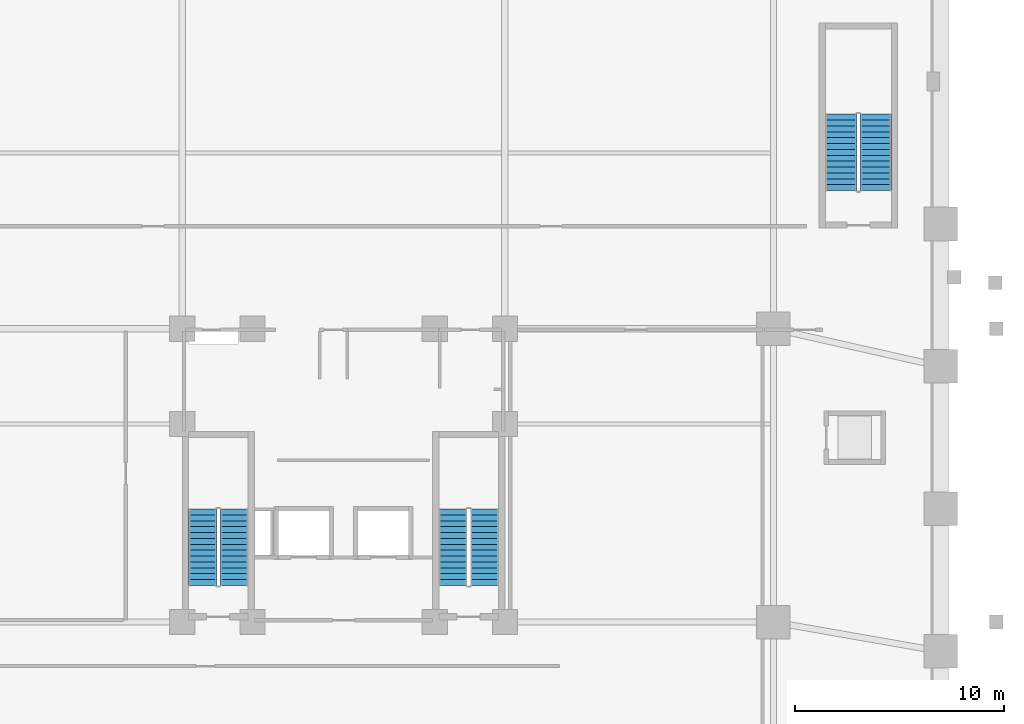
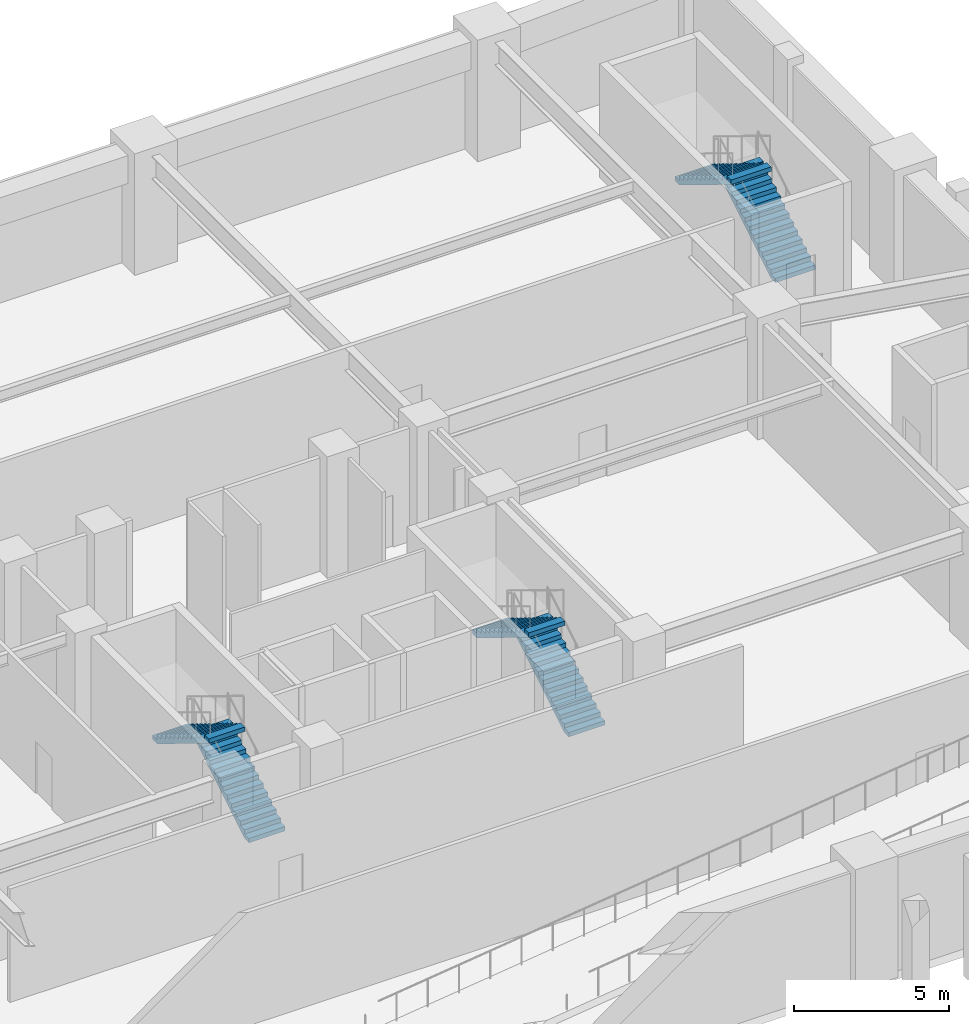
# One storey, part 4 of 8: 6 stair flights, 3 elements without a shape of their own.
"""IFC4 building model written with IfcOpenShell, lengths in metres."""

from ifc_helpers import new_model, si_unit, derived_unit, direction, frame, origin, place, context, subcontext, project, spatial, polyline, outline, extrude, material, type_object, element, aggregate, save


model = new_model("IFC4")

# Units and contexts
model_context = context("Model", 3, precision=1e-05, world=origin(), true_north=direction((0.0, 1.0)))
body_context = subcontext(model_context, "Body", "Model", "MODEL_VIEW")
ifc_project = project(units=[si_unit("LENGTHUNIT", "METRE"), si_unit("AREAUNIT", "SQUARE_METRE"), si_unit("VOLUMEUNIT", "CUBIC_METRE"), si_unit("PLANEANGLEUNIT", "RADIAN"), si_unit("MASSUNIT", "GRAM", prefix="KILO"), derived_unit("THERMALTRANSMITTANCEUNIT", [(si_unit("MASSUNIT", "GRAM", prefix="KILO"), 1), (si_unit("TIMEUNIT", "SECOND"), -3), (si_unit("THERMODYNAMICTEMPERATUREUNIT", "KELVIN"), -1)])], contexts=[model_context])

# Site, building, storey
site_placement = place(None, origin())
site = spatial("IfcSite", under=ifc_project, at=site_placement, CompositionType="ELEMENT")
building_placement = place(site_placement, origin())
building = spatial("IfcBuilding", under=site, at=building_placement, Name="Korrvale Station Residences", CompositionType="ELEMENT")
storey_placement = place(building_placement, frame((0.0, 0.0, -4.800048828125)))
storey = spatial("IfcBuildingStorey", under=building, at=storey_placement, Name="B01", CompositionType="ELEMENT", Elevation=-4.800048828125)

# Stair, stair flights
ifc_material = material(Name="Concrete C50/60", Category="concrete")
stair_type_1 = type_object("IfcStairType", Name="STR-DL-1350-28R-1714", PredefinedType="HALF_TURN_STAIR", material=ifc_material)
stair_1_placement = place(storey_placement, origin())
stair_1 = element("IfcStair", 1, at=stair_1_placement, inside=storey, type_object=stair_type_1, Name="B01 Exit Stair 1", PredefinedType="HALF_TURN_STAIR")
stair_flight_type_1 = type_object("IfcStairFlightType", Name="FLT-DL-1350-28R-1714", PredefinedType="STRAIGHT", material=ifc_material)
stair_flight_1_placement = place(storey_placement, frame((20.27490234375, 16.75, 0.0), z_axis=(0.0, 0.0, 1.0), x_axis=(0.0, 1.0, 0.0)))
stair_flight_1 = element("IfcStairFlight", 2, at=stair_flight_1_placement, type_object=stair_flight_type_1, Name="ST-1 flight 1", NumberOfRisers=14, NumberOfTreads=13, PredefinedType="STRAIGHT", RiserHeight=0.171428571, TreadLength=0.28, context=body_context, shape_type="SweptSolid", body=[
    extrude(outline(polyline([(0.0, 0.0), (0.0, 0.17138671875), (0.280029296875, 0.17138671875), (0.280029296875, 0.3427734375), (0.56005859375, 0.3427734375), (0.56005859375, 0.514404296875), (0.840087890625, 0.514404296875), (0.840087890625, 0.685791015625), (1.1201171875, 0.685791015625), (1.1201171875, 0.857177734375), (1.39990234375, 0.857177734375), (1.39990234375, 1.028564453125), (1.679931640625, 1.028564453125), (1.679931640625, 1.199951171875), (1.9599609375, 1.199951171875), (1.9599609375, 1.371337890625), (2.239990234375, 1.371337890625), (2.239990234375, 1.54296875), (2.52001953125, 1.54296875), (2.52001953125, 1.71435546875), (2.800048828125, 1.71435546875), (2.800048828125, 1.8857421875), (3.080078125, 1.8857421875), (3.080078125, 2.05712890625), (3.360107421875, 2.05712890625), (3.360107421875, 2.228515625), (3.639892578125, 2.228515625), (3.639892578125, 2.39990234375), (3.639892578125, 2.052734375), (0.287109375, 0.0), (0.0, 0.0)])), frame((0.0, 0.675048828125, 0.0), z_axis=(0.0, -1.0, 0.0), x_axis=(1.0, 0.0, 0.0)), (0.0, 0.0, 1.0), 1.35009765625),
])
stair_flight_2_placement = place(storey_placement, frame((18.77490234375, 20.389892578125, 2.400146484375), z_axis=(0.0, 0.0, 1.0), x_axis=(0.0, -1.0, 0.0)))
stair_flight_2 = element("IfcStairFlight", 3, at=stair_flight_2_placement, type_object=stair_flight_type_1, Name="ST-1 flight 2", NumberOfRisers=14, NumberOfTreads=13, PredefinedType="STRAIGHT", RiserHeight=0.171428571, TreadLength=0.28, context=body_context, shape_type="SweptSolid", body=[
    extrude(outline(polyline([(0.0, 0.0), (0.0, 0.17138671875), (0.280029296875, 0.17138671875), (0.280029296875, 0.3427734375), (0.56005859375, 0.3427734375), (0.56005859375, 0.514404296875), (0.840087890625, 0.514404296875), (0.840087890625, 0.685791015625), (1.1201171875, 0.685791015625), (1.1201171875, 0.857177734375), (1.39990234375, 0.857177734375), (1.39990234375, 1.028564453125), (1.679931640625, 1.028564453125), (1.679931640625, 1.199951171875), (1.9599609375, 1.199951171875), (1.9599609375, 1.371337890625), (2.239990234375, 1.371337890625), (2.239990234375, 1.54296875), (2.52001953125, 1.54296875), (2.52001953125, 1.71435546875), (2.800048828125, 1.71435546875), (2.800048828125, 1.8857421875), (3.080078125, 1.8857421875), (3.080078125, 2.05712890625), (3.360107421875, 2.05712890625), (3.360107421875, 2.228515625), (3.639892578125, 2.228515625), (3.639892578125, 2.39990234375), (3.639892578125, 2.052734375), (0.287109375, 0.0), (0.0, 0.0)])), frame((0.0, 0.675048828125, 0.0), z_axis=(0.0, -1.0, 0.0), x_axis=(1.0, 0.0, 0.0)), (0.0, 0.0, 1.0), 1.35009765625),
])
aggregate(stair_1, [stair_flight_1, stair_flight_2])

stair_2_placement = place(storey_placement, origin())
stair_2 = element("IfcStair", 4, at=stair_2_placement, inside=storey, type_object=stair_type_1, Name="B01 Exit Stair 2", PredefinedType="HALF_TURN_STAIR")
stair_flight_3_placement = place(storey_placement, frame((32.22509765625, 16.75, 0.0), z_axis=(0.0, 0.0, 1.0), x_axis=(0.0, 1.0, 0.0)))
stair_flight_3 = element("IfcStairFlight", 5, at=stair_flight_3_placement, type_object=stair_flight_type_1, Name="ST-2 flight 1", NumberOfRisers=14, NumberOfTreads=13, PredefinedType="STRAIGHT", RiserHeight=0.171428571, TreadLength=0.28, context=body_context, shape_type="SweptSolid", body=[
    extrude(outline(polyline([(0.0, 0.0), (0.0, 0.17138671875), (0.280029296875, 0.17138671875), (0.280029296875, 0.3427734375), (0.56005859375, 0.3427734375), (0.56005859375, 0.514404296875), (0.840087890625, 0.514404296875), (0.840087890625, 0.685791015625), (1.1201171875, 0.685791015625), (1.1201171875, 0.857177734375), (1.39990234375, 0.857177734375), (1.39990234375, 1.028564453125), (1.679931640625, 1.028564453125), (1.679931640625, 1.199951171875), (1.9599609375, 1.199951171875), (1.9599609375, 1.371337890625), (2.239990234375, 1.371337890625), (2.239990234375, 1.54296875), (2.52001953125, 1.54296875), (2.52001953125, 1.71435546875), (2.800048828125, 1.71435546875), (2.800048828125, 1.8857421875), (3.080078125, 1.8857421875), (3.080078125, 2.05712890625), (3.360107421875, 2.05712890625), (3.360107421875, 2.228515625), (3.639892578125, 2.228515625), (3.639892578125, 2.39990234375), (3.639892578125, 2.052734375), (0.287109375, 0.0), (0.0, 0.0)])), frame((0.0, 0.675048828125, 0.0), z_axis=(0.0, -1.0, 0.0), x_axis=(1.0, 0.0, 0.0)), (0.0, 0.0, 1.0), 1.35009765625),
])
stair_flight_4_placement = place(storey_placement, frame((30.72509765625, 20.389892578125, 2.400146484375), z_axis=(0.0, 0.0, 1.0), x_axis=(0.0, -1.0, 0.0)))
stair_flight_4 = element("IfcStairFlight", 6, at=stair_flight_4_placement, type_object=stair_flight_type_1, Name="ST-2 flight 2", NumberOfRisers=14, NumberOfTreads=13, PredefinedType="STRAIGHT", RiserHeight=0.171428571, TreadLength=0.28, context=body_context, shape_type="SweptSolid", body=[
    extrude(outline(polyline([(0.0, 0.0), (0.0, 0.17138671875), (0.280029296875, 0.17138671875), (0.280029296875, 0.3427734375), (0.56005859375, 0.3427734375), (0.56005859375, 0.514404296875), (0.840087890625, 0.514404296875), (0.840087890625, 0.685791015625), (1.1201171875, 0.685791015625), (1.1201171875, 0.857177734375), (1.39990234375, 0.857177734375), (1.39990234375, 1.028564453125), (1.679931640625, 1.028564453125), (1.679931640625, 1.199951171875), (1.9599609375, 1.199951171875), (1.9599609375, 1.371337890625), (2.239990234375, 1.371337890625), (2.239990234375, 1.54296875), (2.52001953125, 1.54296875), (2.52001953125, 1.71435546875), (2.800048828125, 1.71435546875), (2.800048828125, 1.8857421875), (3.080078125, 1.8857421875), (3.080078125, 2.05712890625), (3.360107421875, 2.05712890625), (3.360107421875, 2.228515625), (3.639892578125, 2.228515625), (3.639892578125, 2.39990234375), (3.639892578125, 2.052734375), (0.287109375, 0.0), (0.0, 0.0)])), frame((0.0, 0.675048828125, 0.0), z_axis=(0.0, -1.0, 0.0), x_axis=(1.0, 0.0, 0.0)), (0.0, 0.0, 1.0), 1.35009765625),
])
aggregate(stair_2, [stair_flight_3, stair_flight_4])

stair_type_2 = type_object("IfcStairType", Name="STR-DL-1500-28R-1714", PredefinedType="HALF_TURN_STAIR", material=ifc_material)
stair_3_placement = place(storey_placement, origin())
stair_3 = element("IfcStair", 7, at=stair_3_placement, inside=storey, type_object=stair_type_2, Name="B01 Station Exit Stair 4", PredefinedType="HALF_TURN_STAIR")
stair_flight_type_2 = type_object("IfcStairFlightType", Name="FLT-DL-1500-28R-1714", PredefinedType="STRAIGHT", material=ifc_material)
stair_flight_5_placement = place(storey_placement, frame((50.89990234375, 35.60009765625, 0.0), z_axis=(0.0, 0.0, 1.0), x_axis=(0.0, 1.0, 0.0)))
stair_flight_5 = element("IfcStairFlight", 8, at=stair_flight_5_placement, type_object=stair_flight_type_2, Name="ST-4 flight 1", NumberOfRisers=14, NumberOfTreads=13, PredefinedType="STRAIGHT", RiserHeight=0.171428571, TreadLength=0.28, context=body_context, shape_type="SweptSolid", body=[
    extrude(outline(polyline([(0.0, 0.0), (0.0, 0.17138671875), (0.280029296875, 0.17138671875), (0.280029296875, 0.3427734375), (0.56005859375, 0.3427734375), (0.56005859375, 0.514404296875), (0.840087890625, 0.514404296875), (0.840087890625, 0.685791015625), (1.1201171875, 0.685791015625), (1.1201171875, 0.857177734375), (1.39990234375, 0.857177734375), (1.39990234375, 1.028564453125), (1.679931640625, 1.028564453125), (1.679931640625, 1.199951171875), (1.9599609375, 1.199951171875), (1.9599609375, 1.371337890625), (2.239990234375, 1.371337890625), (2.239990234375, 1.54296875), (2.52001953125, 1.54296875), (2.52001953125, 1.71435546875), (2.800048828125, 1.71435546875), (2.800048828125, 1.8857421875), (3.080078125, 1.8857421875), (3.080078125, 2.05712890625), (3.360107421875, 2.05712890625), (3.360107421875, 2.228515625), (3.639892578125, 2.228515625), (3.639892578125, 2.39990234375), (3.639892578125, 2.052734375), (0.287109375, 0.0), (0.0, 0.0)])), frame((0.0, 0.75, 0.0), z_axis=(0.0, -1.0, 0.0), x_axis=(1.0, 0.0, 0.0)), (0.0, 0.0, 1.0), 1.5),
])
stair_flight_6_placement = place(storey_placement, frame((49.25, 39.239990234375, 2.400146484375), z_axis=(0.0, 0.0, 1.0), x_axis=(0.0, -1.0, 0.0)))
stair_flight_6 = element("IfcStairFlight", 9, at=stair_flight_6_placement, type_object=stair_flight_type_2, Name="ST-4 flight 2", NumberOfRisers=14, NumberOfTreads=13, PredefinedType="STRAIGHT", RiserHeight=0.171428571, TreadLength=0.28, context=body_context, shape_type="SweptSolid", body=[
    extrude(outline(polyline([(0.0, 0.0), (0.0, 0.17138671875), (0.280029296875, 0.17138671875), (0.280029296875, 0.3427734375), (0.56005859375, 0.3427734375), (0.56005859375, 0.514404296875), (0.840087890625, 0.514404296875), (0.840087890625, 0.685791015625), (1.1201171875, 0.685791015625), (1.1201171875, 0.857177734375), (1.39990234375, 0.857177734375), (1.39990234375, 1.028564453125), (1.679931640625, 1.028564453125), (1.679931640625, 1.199951171875), (1.9599609375, 1.199951171875), (1.9599609375, 1.371337890625), (2.239990234375, 1.371337890625), (2.239990234375, 1.54296875), (2.52001953125, 1.54296875), (2.52001953125, 1.71435546875), (2.800048828125, 1.71435546875), (2.800048828125, 1.8857421875), (3.080078125, 1.8857421875), (3.080078125, 2.05712890625), (3.360107421875, 2.05712890625), (3.360107421875, 2.228515625), (3.639892578125, 2.228515625), (3.639892578125, 2.39990234375), (3.639892578125, 2.052734375), (0.287109375, 0.0), (0.0, 0.0)])), frame((0.0, 0.75, 0.0), z_axis=(0.0, -1.0, 0.0), x_axis=(1.0, 0.0, 0.0)), (0.0, 0.0, 1.0), 1.5),
])
aggregate(stair_3, [stair_flight_5, stair_flight_6])

save(model, "model.ifc")
